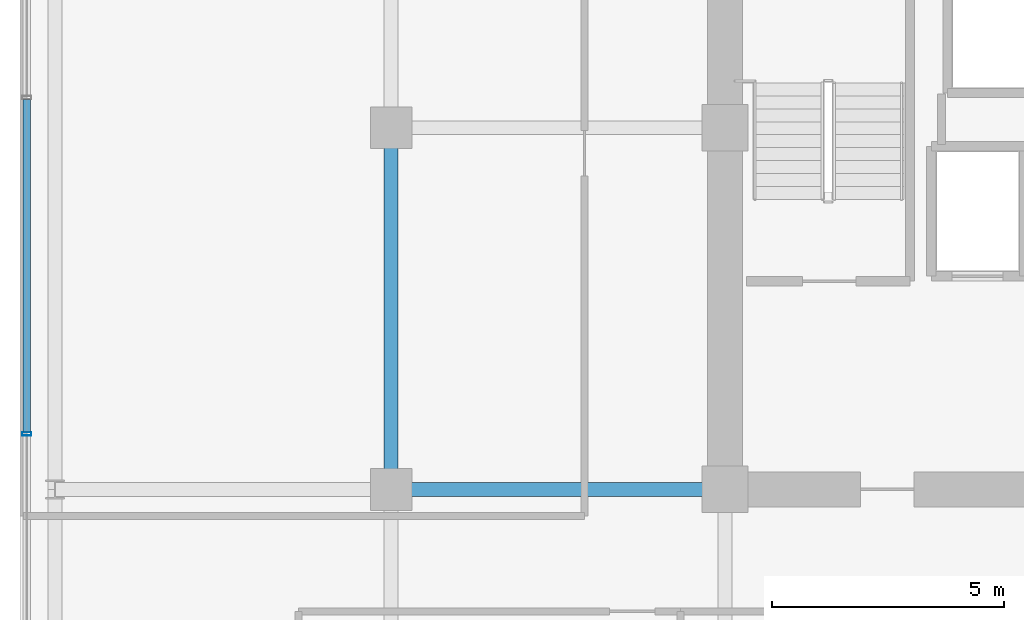
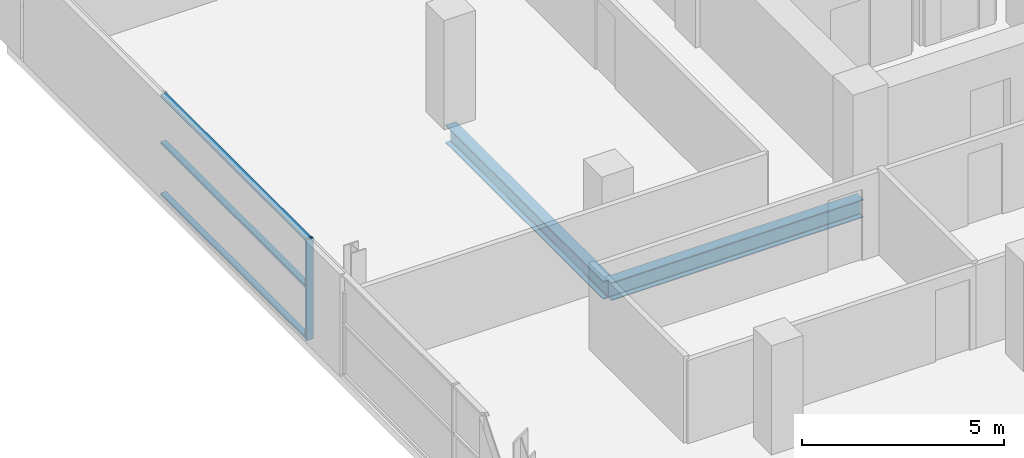
# One storey, part 8 of 25: 4 members, 2 beams, 1 element without a shape of its own.
"""IFC4 building model written with IfcOpenShell, lengths in metres."""

import ifcopenshell
import ifcopenshell.guid

model = None  # the IFC model being written
_history = None  # IfcOwnerHistory: only IFC2X3 demands one
_inside = {}  # id of a spatial element -> (the spatial element, [elements in it])
_under = {}  # id of a project, library or spatial element -> (it, [spatial elements below it])
_declared = {}  # id of a project -> (the project, [libraries it declares])
_typed = {}  # id of a type object -> (the type object, [elements of that type])
_made_of = {}  # id of a material, layer set ... -> (it, [elements and type objects made of it])


def new_model(schema):
    """Start an empty IFC model of exactly this schema.

    Asked for "IFC4X3", IfcOpenShell would pick the latest addendum, in which some entities
    have other attributes; the version numbers below select the first issue.
    IFC2X3 requires an IfcOwnerHistory on every rooted entity: one is made here for all.
    """
    global model, _history
    if schema == "IFC4X3":
        model = ifcopenshell.file(schema_version=(4, 3, 0, 0))
    else:
        model = ifcopenshell.file(schema=schema)
    _inside.clear()
    _under.clear()
    _declared.clear()
    _typed.clear()
    _made_of.clear()
    _history = None
    if model.schema == "IFC2X3":
        org = make("IfcOrganization", Name="unknown")
        user = make(
            "IfcPersonAndOrganization",
            ThePerson=make("IfcPerson", FamilyName="unknown"),
            TheOrganization=org,
        )
        app = make(
            "IfcApplication",
            ApplicationDeveloper=org,
            Version="unknown",
            ApplicationFullName="unknown",
            ApplicationIdentifier="unknown",
        )
        _history = make(
            "IfcOwnerHistory",
            OwningUser=user,
            OwningApplication=app,
            ChangeAction="ADDED",
            CreationDate=0,
        )
    return model


def make(cls, **values):
    """One entity of the class cls with the attributes given. An attribute that is None is left unset."""
    return model.create_entity(
        cls, **{name: value for name, value in values.items() if value is not None}
    )


def rooted(cls, **values):
    """An entity with a GlobalId (a new one), such as an element, a storey or a relation."""
    return make(cls, GlobalId=ifcopenshell.guid.new(), OwnerHistory=_history, **values)


def si_unit(unit_type, name, prefix=None):
    """IfcSIUnit, for example si_unit("LENGTHUNIT", "METRE", prefix="MILLI")."""
    return make("IfcSIUnit", UnitType=unit_type, Prefix=prefix, Name=name)


def assignment(units):
    """IfcUnitAssignment: the units of a project."""
    return None if units is None else make("IfcUnitAssignment", Units=units)


def point(xyz):
    """IfcCartesianPoint."""
    return None if xyz is None else make("IfcCartesianPoint", Coordinates=xyz)


def direction(xyz):
    """IfcDirection."""
    return None if xyz is None else make("IfcDirection", DirectionRatios=xyz)


def frame(location, z_axis=None, x_axis=None):
    """IfcAxis2Placement3D, a coordinate frame: its origin and axes. An axis left out is left unset."""
    return make(
        "IfcAxis2Placement3D",
        Location=point(location),
        Axis=direction(z_axis),
        RefDirection=direction(x_axis),
    )


def frame_2d(location, x_axis=None):
    """IfcAxis2Placement2D, a coordinate frame in the plane: its origin and x axis."""
    return make(
        "IfcAxis2Placement2D", Location=point(location), RefDirection=direction(x_axis)
    )


def origin():
    """The frame at (0, 0, 0) with its axes left unset."""
    return frame((0.0, 0.0, 0.0))


def origin_2d():
    """The frame at (0, 0) in the plane with its x axis left unset."""
    return frame_2d((0.0, 0.0))


def place(relative_to, where):
    """IfcLocalPlacement: puts the frame where relative to a parent placement (None: the world)."""
    return make(
        "IfcLocalPlacement", PlacementRelTo=relative_to, RelativePlacement=where
    )


def context(
    kind, dimensions, precision=None, world=None, true_north=None, identifier=None
):
    """IfcGeometricRepresentationContext, for example the 3D "Model" context."""
    return make(
        "IfcGeometricRepresentationContext",
        ContextIdentifier=identifier,
        ContextType=kind,
        CoordinateSpaceDimension=dimensions,
        Precision=precision,
        WorldCoordinateSystem=world,
        TrueNorth=true_north,
    )


def subcontext(parent, identifier, kind, view, scale=None):
    """IfcGeometricRepresentationSubContext, for example "Body" below "Model"."""
    return make(
        "IfcGeometricRepresentationSubContext",
        ContextIdentifier=identifier,
        ContextType=kind,
        ParentContext=parent,
        TargetScale=scale,
        TargetView=view,
    )


def project(units=None, contexts=None):
    """IfcProject with its units and contexts."""
    return rooted(
        "IfcProject",
        Name="project",
        RepresentationContexts=contexts,
        UnitsInContext=assignment(units),
    )


def spatial(cls, under=None, at=None, **own):
    """A site, building, storey or space (cls), placed at a placement, below another one or the project."""
    s = rooted(cls, ObjectPlacement=at, **own)
    if under is not None:
        _under.setdefault(under.id(), (under, []))[1].append(s)
    return s


def profile(cls, at=None, kind="AREA", **sizes):
    """A parametric profile (cls). Its sizes go by their IFC names, for example OverallWidth=200.0."""
    return make(cls, ProfileType=kind, Position=at, **sizes)


def hollow_rectangle(**sizes):
    """IfcRectangleHollowProfileDef."""
    return profile("IfcRectangleHollowProfileDef", **sizes)


def i_section(**sizes):
    """IfcIShapeProfileDef."""
    return profile("IfcIShapeProfileDef", **sizes)


def extrude(swept, where, along, depth):
    """IfcExtrudedAreaSolid: the profile swept, set in the frame where, extruded along a direction by depth."""
    return make(
        "IfcExtrudedAreaSolid",
        SweptArea=swept,
        Position=where,
        ExtrudedDirection=direction(along),
        Depth=depth,
    )


def shape(context_of_items, identifier, shape_type, items):
    """IfcShapeRepresentation: the items that make up one representation, for example the "Body"."""
    return make(
        "IfcShapeRepresentation",
        ContextOfItems=context_of_items,
        RepresentationIdentifier=identifier,
        RepresentationType=shape_type,
        Items=items,
    )


def source(mapping_origin, context_of_items, identifier, shape_type, items):
    """IfcRepresentationMap: a shape defined once, which mapped items show again and again."""
    return make(
        "IfcRepresentationMap",
        MappingOrigin=mapping_origin,
        MappedRepresentation=shape(context_of_items, identifier, shape_type, items),
    )


def transform(
    local_origin,
    x_axis=None,
    y_axis=None,
    z_axis=None,
    scale=None,
    scale2=None,
    scale3=None,
    uniform=True,
):
    """IfcCartesianTransformationOperator3D, or its non-uniform kind. x_axis, y_axis, z_axis: its Axis1, 2, 3."""
    if uniform:
        return make(
            "IfcCartesianTransformationOperator3D",
            Axis1=direction(x_axis),
            Axis2=direction(y_axis),
            LocalOrigin=point(local_origin),
            Scale=scale,
            Axis3=direction(z_axis),
        )
    return make(
        "IfcCartesianTransformationOperator3DnonUniform",
        Axis1=direction(x_axis),
        Axis2=direction(y_axis),
        LocalOrigin=point(local_origin),
        Scale=scale,
        Axis3=direction(z_axis),
        Scale2=scale2,
        Scale3=scale3,
    )


def mapped(mapping_source, mapping_target):
    """IfcMappedItem: shows the shape of a source again, moved by a transform."""
    return make(
        "IfcMappedItem", MappingSource=mapping_source, MappingTarget=mapping_target
    )


def material(Name=None, Category=None):
    """IfcMaterial."""
    return make("IfcMaterial", Name=Name, Category=Category)


def layer(
    of_material, thickness, ventilated=None, Name=None, Category=None, Priority=None
):
    """IfcMaterialLayer: one layer of a wall or slab, of a material (None: an air gap)."""
    return make(
        "IfcMaterialLayer",
        Material=of_material,
        LayerThickness=thickness,
        IsVentilated=ventilated,
        Name=Name,
        Category=Category,
        Priority=Priority,
    )


def layer_set(layers, Name=None):
    """IfcMaterialLayerSet."""
    return make("IfcMaterialLayerSet", MaterialLayers=layers, LayerSetName=Name)


def material_profile(
    of_material, cross_section, Name=None, Category=None, Priority=None
):
    """IfcMaterialProfile: a cross section and its material."""
    return make(
        "IfcMaterialProfile",
        Name=Name,
        Material=of_material,
        Profile=cross_section,
        Priority=Priority,
        Category=Category,
    )


def profile_set(profiles, Name=None, composite=None):
    """IfcMaterialProfileSet."""
    return make(
        "IfcMaterialProfileSet",
        Name=Name,
        MaterialProfiles=profiles,
        CompositeProfile=composite,
    )


def made_of(thing, what):
    """Note that an element or type object is made of a material, layer set ...; save() writes the relation."""
    if what is not None:
        _made_of.setdefault(what.id(), (what, []))[1].append(thing)
    return thing


def type_object(cls, material=None, **own):
    """A type object (cls), such as IfcWallType, which elements share."""
    return made_of(rooted(cls, **own), material)


def element(
    cls,
    number,
    at=None,
    inside=None,
    cuts=None,
    type_object=None,
    material=None,
    context=None,
    identifier="Body",
    shape_type=None,
    held_by="IfcProductDefinitionShape",
    body=None,
    shapes=None,
    **own,
):
    """One element of the class cls, such as IfcWall. Its Tag is "e" and its number.

    at: its placement. inside: the storey or other place that contains it. cuts: it is an
    opening in that element (IfcRelVoidsElement). A single representation is given by context,
    identifier, shape_type and body (its items); several are given by shapes. held_by: the class
    of the entity that holds the representations. save() writes the other relations.
    """
    e = rooted(cls, Tag="e%d" % number, ObjectPlacement=at, **own)
    if body is not None:
        shapes = [shape(context, identifier, shape_type, body)]
    if shapes is not None:
        e.Representation = make(held_by, Representations=shapes)
    if inside is not None:
        _inside.setdefault(inside.id(), (inside, []))[1].append(e)
    if cuts is not None:
        rooted(
            "IfcRelVoidsElement", RelatingBuildingElement=cuts, RelatedOpeningElement=e
        )
    if type_object is not None:
        _typed.setdefault(type_object.id(), (type_object, []))[1].append(e)
    return made_of(e, material)


def aggregate(whole, parts):
    """IfcRelAggregates: a whole, such as a stair, and the parts it consists of."""
    return rooted("IfcRelAggregates", RelatingObject=whole, RelatedObjects=parts)


def save(model, path):
    """Write the relations noted so far, then the file.

    IfcRelAggregates (storeys below a building ...), IfcRelContainedInSpatialStructure (elements
    in a storey), IfcRelDefinesByType, IfcRelAssociatesMaterial and IfcRelDeclares: one each for
    every whole, place, type object, material and project.
    """
    for whole, parts in _under.values():
        aggregate(whole, parts)
    for where, things in _inside.values():
        rooted(
            "IfcRelContainedInSpatialStructure",
            RelatedElements=things,
            RelatingStructure=where,
        )
    for kind, things in _typed.values():
        rooted("IfcRelDefinesByType", RelatedObjects=things, RelatingType=kind)
    for what, things in _made_of.values():
        rooted("IfcRelAssociatesMaterial", RelatedObjects=things, RelatingMaterial=what)
    for by, libraries in _declared.values():
        rooted("IfcRelDeclares", RelatingContext=by, RelatedDefinitions=libraries)
    model.write(path)


model = new_model("IFC4")

# Units and contexts
model_context = context("Model", 3, precision=1e-05, world=origin(), true_north=direction((0.0, 1.0)))
body_context = subcontext(model_context, "Body", "Model", "MODEL_VIEW")
ifc_project = project(units=[si_unit("LENGTHUNIT", "METRE"), si_unit("AREAUNIT", "SQUARE_METRE"), si_unit("VOLUMEUNIT", "CUBIC_METRE"), si_unit("PLANEANGLEUNIT", "RADIAN"), si_unit("MASSUNIT", "GRAM", prefix="KILO")], contexts=[model_context])

# Site, building, storey
site_placement = place(None, origin())
site = spatial("IfcSite", under=ifc_project, at=site_placement, CompositionType="ELEMENT")
building_placement = place(site_placement, origin())
building = spatial("IfcBuilding", under=site, at=building_placement, Name="Zarnakvel Exchange Tower", CompositionType="ELEMENT")
storey_placement = place(building_placement, frame((0.0, 0.0, 93.39990234375)))
storey = spatial("IfcBuildingStorey", under=building, at=storey_placement, Name="L25", CompositionType="ELEMENT", Elevation=93.39990234375)

# Beams
ifc_material_1 = material(Name="Steel S355", Category="steel")
ifc_material_profile_1 = material_profile(ifc_material_1, i_section(OverallWidth=0.300048828125, OverallDepth=0.550048828125, WebThickness=0.014892578125, FlangeThickness=0.029052734375, FilletRadius=0.027099609375, at=origin_2d()))
ifc_profile_set_1 = profile_set([ifc_material_profile_1], Name="Steel S355")
beam_type = type_object("IfcBeamType", Name="G-05", PredefinedType="BEAM", material=ifc_profile_set_1)
beam_1_placement = place(storey_placement, frame((-21.60009765625, -1.199951171875, -0.5), z_axis=(1.0, 0.0, 0.0), x_axis=(0.0, 1.0, 0.0)))
element("IfcBeam", 1, at=beam_1_placement, inside=storey, type_object=beam_type, Name="L25 Tower E-W Frame Beam", PredefinedType="BEAM", context=body_context, shape_type="SweptSolid", body=[
    extrude(i_section(OverallWidth=0.300048828125, OverallDepth=0.550048828125, WebThickness=0.014892578125, FlangeThickness=0.029052734375, FilletRadius=0.027099609375, at=origin_2d()), origin(), (0.0, 0.0, 1.0), 7.2001953125),
])
beam_2_placement = place(storey_placement, frame((-21.60009765625, -1.199951171875, -0.5), z_axis=(0.0, 1.0, 0.0), x_axis=(-1.0, 0.0, 0.0)))
element("IfcBeam", 2, at=beam_2_placement, inside=storey, type_object=beam_type, Name="L25 Tower N-S Frame Beam", PredefinedType="BEAM", context=body_context, shape_type="SweptSolid", body=[
    extrude(i_section(OverallWidth=0.300048828125, OverallDepth=0.550048828125, WebThickness=0.014892578125, FlangeThickness=0.029052734375, FilletRadius=0.027099609375, at=origin_2d()), origin(), (0.0, 0.0, 1.0), 7.800048828125),
])

# Curtain wall, members
ifc_material_2 = material(Name="Architectural Bronze Anodised Aluminium", Category="aluminium")
ifc_layer = layer(ifc_material_2, 0.199951171875)
ifc_layer_set = layer_set([ifc_layer], Name="Architectural Bronze Anodised Aluminium")
curtain_wall_type = type_object("IfcCurtainWallType", Name="CW-04", PredefinedType="NOTDEFINED", material=ifc_layer_set)
curtain_wall_placement = place(storey_placement, origin())
curtain_wall = element("IfcCurtainWall", 3, at=curtain_wall_placement, inside=storey, type_object=curtain_wall_type, Name="L25 Curtain Wall CW-L25-W1 (CW-04)", PredefinedType="NOTDEFINED")
ifc_material_profile_2 = material_profile(ifc_material_2, hollow_rectangle(XDim=0.199951171875, YDim=0.074951171875, WallThickness=0.0048828125, at=origin_2d()))
ifc_profile_set_2 = profile_set([ifc_material_profile_2], Name="Architectural Bronze Anodised Aluminium")
member_type_1 = type_object("IfcMemberType", Name="CWM-04", PredefinedType="MULLION", material=ifc_profile_set_2)
shared_shape_1 = source(origin(), body_context, "Body", "SweptSolid", [
    extrude(hollow_rectangle(XDim=0.199951171875, YDim=0.074951171875, WallThickness=0.0048828125, at=origin_2d()), origin(), (0.0, 0.0, 1.0), 3.05517578125),
])
member_1_placement = place(storey_placement, frame((-29.4599609375, 0.0, 0.0), z_axis=(0.0, 0.0, 1.0), x_axis=(-1.0, 0.0, 0.0)))
member_1 = element("IfcMember", 4, at=member_1_placement, type_object=member_type_1, Name="CW-04 mullion 3", PredefinedType="MULLION", context=body_context, shape_type="MappedRepresentation", body=[
    mapped(shared_shape_1, transform((0.0, 0.0, 0.0), x_axis=(1.0, 0.0, 0.0), y_axis=(0.0, 1.0, 0.0), z_axis=(0.0, 0.0, 1.0), scale=1.0)),
])
ifc_material_profile_3 = material_profile(ifc_material_2, hollow_rectangle(XDim=0.159912109375, YDim=0.074951171875, WallThickness=0.00390625, at=origin_2d()))
ifc_profile_set_3 = profile_set([ifc_material_profile_3], Name="Architectural Bronze Anodised Aluminium")
member_type_2 = type_object("IfcMemberType", Name="CWT-04", PredefinedType="USERDEFINED", material=ifc_profile_set_3)
shared_shape_2 = source(origin(), body_context, "Body", "SweptSolid", [
    extrude(hollow_rectangle(XDim=0.159912109375, YDim=0.074951171875, WallThickness=0.00390625, at=origin_2d()), origin(), (0.0, 0.0, 1.0), 7.1748046875),
])
member_2_placement = place(storey_placement, frame((-29.4599609375, 0.03759765625, 0.03759765625), z_axis=(0.0, 1.0, 0.0), x_axis=(-1.0, 0.0, 0.0)))
member_2 = element("IfcMember", 5, at=member_2_placement, type_object=member_type_2, Name="CW-04 transom 3.1", ObjectType="TRANSOM", PredefinedType="USERDEFINED", context=body_context, shape_type="MappedRepresentation", body=[
    mapped(shared_shape_2, transform((0.0, 0.0, 0.0), x_axis=(1.0, 0.0, 0.0), y_axis=(0.0, 1.0, 0.0), z_axis=(0.0, 0.0, 1.0), scale=1.0)),
])
member_3_placement = place(storey_placement, frame((-29.4599609375, 0.03759765625, 1.588623046875), z_axis=(0.0, 1.0, 0.0), x_axis=(-1.0, 0.0, 0.0)))
member_3 = element("IfcMember", 6, at=member_3_placement, type_object=member_type_2, Name="CW-04 transom 3.2", ObjectType="TRANSOM", PredefinedType="USERDEFINED", context=body_context, shape_type="MappedRepresentation", body=[
    mapped(shared_shape_2, transform((0.0, 0.0, 0.0), x_axis=(1.0, 0.0, 0.0), y_axis=(0.0, 1.0, 0.0), z_axis=(0.0, 0.0, 1.0), scale=1.0)),
])
member_4_placement = place(storey_placement, frame((-29.4599609375, 0.03759765625, 3.017578125), z_axis=(0.0, 1.0, 0.0), x_axis=(-1.0, 0.0, 0.0)))
member_4 = element("IfcMember", 7, at=member_4_placement, type_object=member_type_2, Name="CW-04 transom 3.3", ObjectType="TRANSOM", PredefinedType="USERDEFINED", context=body_context, shape_type="MappedRepresentation", body=[
    mapped(shared_shape_2, transform((0.0, 0.0, 0.0), x_axis=(1.0, 0.0, 0.0), y_axis=(0.0, 1.0, 0.0), z_axis=(0.0, 0.0, 1.0), scale=1.0)),
])
aggregate(curtain_wall, [member_1, member_2, member_3, member_4])

save(model, "model.ifc")
